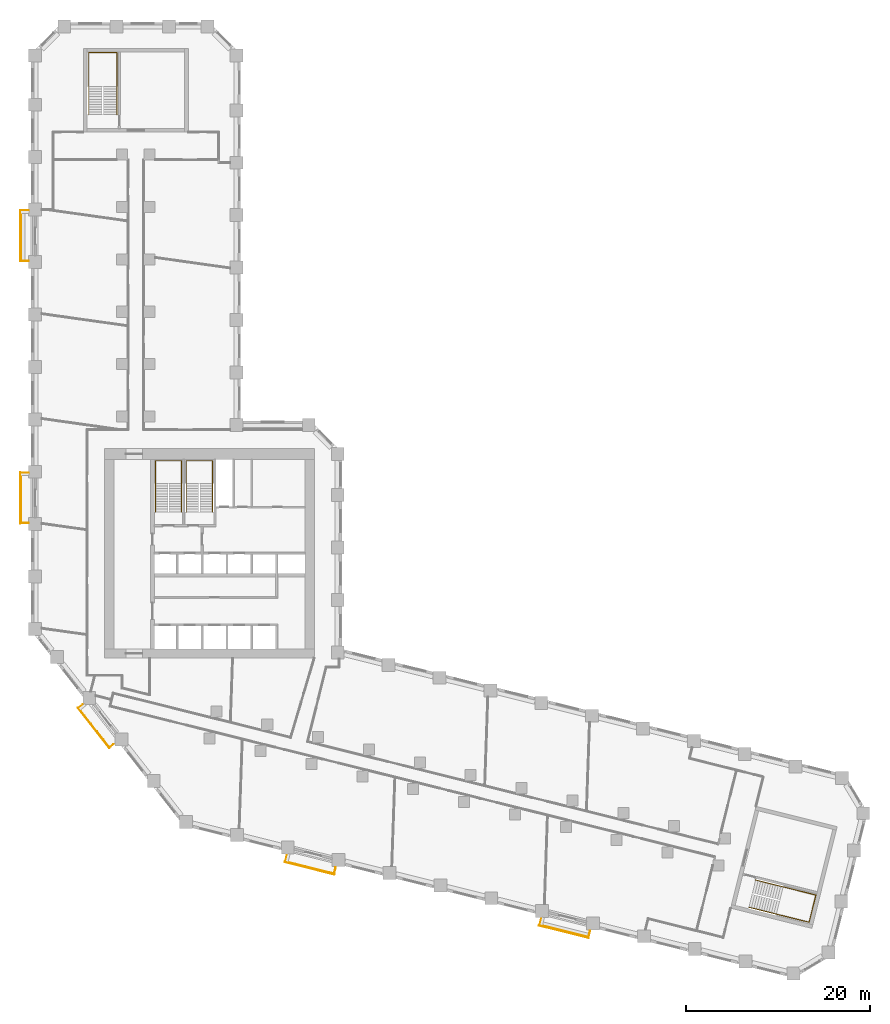
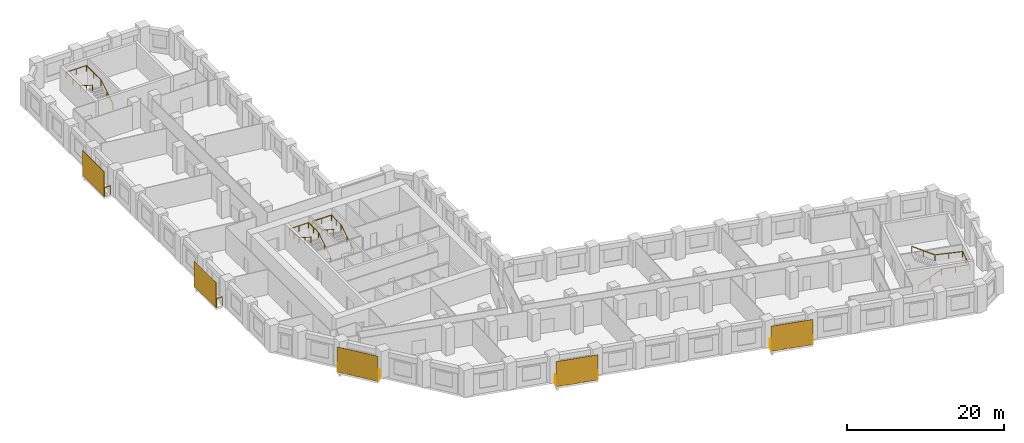
# One storey, part 11 of 11: 9 railings, 5 shading devices.
"""IFC4 building model written with IfcOpenShell, lengths in metres."""

from ifc_helpers import new_model, si_unit, direction, frame, origin, origin_2d, place, context, subcontext, project, spatial, rectangle, circle, extrude, material, layer, layer_set, type_object, element, save


model = new_model("IFC4")

# Units and contexts
model_context = context("Model", 3, precision=1e-05, world=origin(), true_north=direction((0.0, 1.0)))
body_context = subcontext(model_context, "Body", "Model", "MODEL_VIEW")
ifc_project = project(units=[si_unit("LENGTHUNIT", "METRE"), si_unit("AREAUNIT", "SQUARE_METRE"), si_unit("VOLUMEUNIT", "CUBIC_METRE"), si_unit("PLANEANGLEUNIT", "RADIAN"), si_unit("MASSUNIT", "GRAM", prefix="KILO")], contexts=[model_context])

# Site, building, storey
site_placement = place(None, origin())
site = spatial("IfcSite", under=ifc_project, at=site_placement, CompositionType="ELEMENT")
building_placement = place(site_placement, origin())
building = spatial("IfcBuilding", under=site, at=building_placement, Name="Meshkara Civic Tower", CompositionType="ELEMENT")
storey_placement = place(building_placement, frame((0.0, 0.0, 70.800048828125)))
storey = spatial("IfcBuildingStorey", under=building, at=storey_placement, Name="L15", CompositionType="ELEMENT", Elevation=70.800048828125)

# Railings
ifc_material_1 = material(Name="Steel S355", Category="steel")
railing_type_1 = type_object("IfcRailingType", Name="BALUSTRADE GUARD 1400", PredefinedType="BALUSTRADE", material=ifc_material_1)
for number, where, name in (
    (1, (-0.25, 62.735107421875, 0.0), "Balcony guard"),
    (2, (-0.25, 34.235107421875, 0.0), "Balcony guard"),
):
    element("IfcRailing", number, at=place(storey_placement, frame(where)), inside=storey, type_object=railing_type_1, Name=name, PredefinedType="BALUSTRADE", context=body_context, shape_type="SweptSolid", body=[
        extrude(circle(Radius=0.02392578125, at=origin_2d()), frame((0.0, 0.0, 1.3759765625), z_axis=(-1.0, 0.0, 0.0), x_axis=(0.0, -1.0, 0.0)), (0.0, 0.0, 1.0), 0.860107421875),
        extrude(circle(Radius=0.02392578125, at=origin_2d()), frame((-0.860107421875, 0.0, 1.3759765625), z_axis=(0.0, -1.0, 0.0), x_axis=(1.0, 0.0, 0.0)), (0.0, 0.0, 1.0), 5.460205078125),
        extrude(circle(Radius=0.02392578125, at=origin_2d()), frame((-0.860107421875, -5.460205078125, 1.3759765625), z_axis=(1.0, 0.0, 0.0), x_axis=(0.0, 1.0, 0.0)), (0.0, 0.0, 1.0), 0.860107421875),
        extrude(circle(Radius=0.02099609375, at=origin_2d()), origin(), (0.0, 0.0, 1.0), 1.351806640625),
        extrude(circle(Radius=0.02099609375, at=origin_2d()), frame((-0.860107421875, 0.0, 0.0)), (0.0, 0.0, 1.0), 1.351806640625),
        extrude(circle(Radius=0.02099609375, at=origin_2d()), frame((-0.860107421875, -1.092041015625, 0.0)), (0.0, 0.0, 1.0), 1.351806640625),
        extrude(circle(Radius=0.02099609375, at=origin_2d()), frame((-0.860107421875, -2.18408203125, 0.0)), (0.0, 0.0, 1.0), 1.351806640625),
        extrude(circle(Radius=0.02099609375, at=origin_2d()), frame((-0.860107421875, -3.276123046875, 0.0)), (0.0, 0.0, 1.0), 1.351806640625),
        extrude(circle(Radius=0.02099609375, at=origin_2d()), frame((-0.860107421875, -4.3681640625, 0.0)), (0.0, 0.0, 1.0), 1.351806640625),
        extrude(circle(Radius=0.02099609375, at=origin_2d()), frame((-0.860107421875, -5.460205078125, 0.0)), (0.0, 0.0, 1.0), 1.351806640625),
        extrude(circle(Radius=0.02099609375, at=origin_2d()), frame((0.0, -5.460205078125, 0.0)), (0.0, 0.0, 1.0), 1.351806640625),
    ])
railing_1_placement = place(storey_placement, frame((5.623046875, 9.0380859375, 0.0)))
element("IfcRailing", 3, at=railing_1_placement, inside=storey, type_object=railing_type_1, Name="Balcony guard", PredefinedType="BALUSTRADE", context=body_context, shape_type="SweptSolid", body=[
    extrude(circle(Radius=0.02392578125, at=origin_2d()), frame((0.0, 0.0, 1.3759765625), z_axis=(-0.787460425492, -0.616365215018, 0.0), x_axis=(0.616365215018, -0.787460425492, 0.0)), (0.0, 0.0, 1.0), 0.577880859375),
    extrude(circle(Radius=0.02392578125, at=origin_2d()), frame((-0.455078125, -0.356201171875, 1.3759765625), z_axis=(0.615684818606, -0.787992515281, 0.0), x_axis=(0.787992515281, 0.615684818606, 0.0)), (0.0, 0.0, 1.0), 5.460693359375),
    extrude(circle(Radius=0.02392578125, at=origin_2d()), frame((2.906982421875, -4.6591796875, 1.3759765625), z_axis=(0.787460425492, 0.616365215018, 0.0), x_axis=(-0.616365215018, 0.787460425492, 0.0)), (0.0, 0.0, 1.0), 0.577880859375),
    extrude(circle(Radius=0.02099609375, at=origin_2d()), origin(), (0.0, 0.0, 1.0), 1.351806640625),
    extrude(circle(Radius=0.02099609375, at=origin_2d()), frame((-0.455078125, -0.356201171875, 0.0)), (0.0, 0.0, 1.0), 1.351806640625),
    extrude(circle(Radius=0.02099609375, at=origin_2d()), frame((0.21728515625, -1.216796875, 0.0)), (0.0, 0.0, 1.0), 1.351806640625),
    extrude(circle(Radius=0.02099609375, at=origin_2d()), frame((0.8896484375, -2.077392578125, 0.0)), (0.0, 0.0, 1.0), 1.351806640625),
    extrude(circle(Radius=0.02099609375, at=origin_2d()), frame((1.562255859375, -2.93798828125, 0.0)), (0.0, 0.0, 1.0), 1.351806640625),
    extrude(circle(Radius=0.02099609375, at=origin_2d()), frame((2.234619140625, -3.798583984375, 0.0)), (0.0, 0.0, 1.0), 1.351806640625),
    extrude(circle(Radius=0.02099609375, at=origin_2d()), frame((2.906982421875, -4.6591796875, 0.0)), (0.0, 0.0, 1.0), 1.351806640625),
    extrude(circle(Radius=0.02099609375, at=origin_2d()), frame((3.362060546875, -4.302978515625, 0.0)), (0.0, 0.0, 1.0), 1.351806640625),
])
railing_2_placement = place(storey_placement, frame((27.822998046875, -7.347900390625, 0.0)))
element("IfcRailing", 4, at=railing_2_placement, inside=storey, type_object=railing_type_1, Name="Balcony guard", PredefinedType="BALUSTRADE", context=body_context, shape_type="SweptSolid", body=[
    extrude(circle(Radius=0.02392578125, at=origin_2d()), frame((0.0, 0.0, 1.3759765625), z_axis=(-0.241970279911, -0.970283661431, 0.0), x_axis=(0.970283661431, -0.241970279911, 0.0)), (0.0, 0.0, 1.0), 0.71142578125),
    extrude(circle(Radius=0.02392578125, at=origin_2d()), frame((-0.172119140625, -0.690185546875, 1.3759765625), z_axis=(0.970302726319, -0.241893818229, 0.0), x_axis=(0.241893818229, 0.970302726319, 0.0)), (0.0, 0.0, 1.0), 5.460205078125),
    extrude(circle(Radius=0.02392578125, at=origin_2d()), frame((5.1259765625, -2.010986328125, 1.3759765625), z_axis=(0.242050887106, 0.970263555974, 0.0), x_axis=(-0.970263555974, 0.242050887106, 0.0)), (0.0, 0.0, 1.0), 0.711181640625),
    extrude(circle(Radius=0.02099609375, at=origin_2d()), origin(), (0.0, 0.0, 1.0), 1.351806640625),
    extrude(circle(Radius=0.02099609375, at=origin_2d()), frame((-0.172119140625, -0.690185546875, 0.0)), (0.0, 0.0, 1.0), 1.351806640625),
    extrude(circle(Radius=0.02099609375, at=origin_2d()), frame((0.887451171875, -0.954345703125, 0.0)), (0.0, 0.0, 1.0), 1.351806640625),
    extrude(circle(Radius=0.02099609375, at=origin_2d()), frame((1.947021484375, -1.218505859375, 0.0)), (0.0, 0.0, 1.0), 1.351806640625),
    extrude(circle(Radius=0.02099609375, at=origin_2d()), frame((3.0068359375, -1.482666015625, 0.0)), (0.0, 0.0, 1.0), 1.351806640625),
    extrude(circle(Radius=0.02099609375, at=origin_2d()), frame((4.06640625, -1.746826171875, 0.0)), (0.0, 0.0, 1.0), 1.351806640625),
    extrude(circle(Radius=0.02099609375, at=origin_2d()), frame((5.1259765625, -2.010986328125, 0.0)), (0.0, 0.0, 1.0), 1.351806640625),
    extrude(circle(Radius=0.02099609375, at=origin_2d()), frame((5.298095703125, -1.321044921875, 0.0)), (0.0, 0.0, 1.0), 1.351806640625),
])
railing_3_placement = place(storey_placement, frame((55.47705078125, -14.242919921875, 0.0)))
element("IfcRailing", 5, at=railing_3_placement, inside=storey, type_object=railing_type_1, Name="Balcony guard", PredefinedType="BALUSTRADE", context=body_context, shape_type="SweptSolid", body=[
    extrude(circle(Radius=0.02392578125, at=origin_2d()), frame((0.0, 0.0, 1.3759765625), z_axis=(-0.241970279911, -0.970283661431, 0.0), x_axis=(0.970283661431, -0.241970279911, 0.0)), (0.0, 0.0, 1.0), 0.71142578125),
    extrude(circle(Radius=0.02392578125, at=origin_2d()), frame((-0.172119140625, -0.690185546875, 1.3759765625), z_axis=(0.970302726319, -0.241893818229, 0.0), x_axis=(0.241893818229, 0.970302726319, 0.0)), (0.0, 0.0, 1.0), 5.460205078125),
    extrude(circle(Radius=0.02392578125, at=origin_2d()), frame((5.1259765625, -2.010986328125, 1.3759765625), z_axis=(0.24172762774, 0.970344142038, 0.0), x_axis=(-0.970344142038, 0.24172762774, 0.0)), (0.0, 0.0, 1.0), 0.7109375),
    extrude(circle(Radius=0.02099609375, at=origin_2d()), origin(), (0.0, 0.0, 1.0), 1.351806640625),
    extrude(circle(Radius=0.02099609375, at=origin_2d()), frame((-0.172119140625, -0.690185546875, 0.0)), (0.0, 0.0, 1.0), 1.351806640625),
    extrude(circle(Radius=0.02099609375, at=origin_2d()), frame((0.887451171875, -0.954345703125, 0.0)), (0.0, 0.0, 1.0), 1.351806640625),
    extrude(circle(Radius=0.02099609375, at=origin_2d()), frame((1.947021484375, -1.218505859375, 0.0)), (0.0, 0.0, 1.0), 1.351806640625),
    extrude(circle(Radius=0.02099609375, at=origin_2d()), frame((3.0068359375, -1.482666015625, 0.0)), (0.0, 0.0, 1.0), 1.351806640625),
    extrude(circle(Radius=0.02099609375, at=origin_2d()), frame((4.06640625, -1.746826171875, 0.0)), (0.0, 0.0, 1.0), 1.351806640625),
    extrude(circle(Radius=0.02099609375, at=origin_2d()), frame((5.1259765625, -2.010986328125, 0.0)), (0.0, 0.0, 1.0), 1.351806640625),
    extrude(circle(Radius=0.02099609375, at=origin_2d()), frame((5.2978515625, -1.321044921875, 0.0)), (0.0, 0.0, 1.0), 1.351806640625),
])

# Shading devices
ifc_material_2 = material(Name="Perforated bronze anodised aluminium sheet", Category="aluminium")
ifc_layer = layer(ifc_material_2, 0.0400390625)
ifc_layer_set = layer_set([ifc_layer], Name="PERFORATED BRONZE SCREEN")
shading_device_type = type_object("IfcShadingDeviceType", Name="PERFORATED BRONZE SCREEN", PredefinedType="USERDEFINED", material=ifc_layer_set)
for number, where, z_axis, x_axis, name in (
    (6, (-1.179931640625, 60.0048828125, 0.0), (0.0, 0.0, 1.0), (0.0, -1.0, 0.0), "Balcony screen"),
    (7, (-1.179931640625, 31.5048828125, 0.0), (0.0, 0.0, 1.0), (0.0, -1.0, 0.0), "Balcony screen"),
):
    element("IfcShadingDevice", number, at=place(storey_placement, frame(where, z_axis=z_axis, x_axis=x_axis)), inside=storey, type_object=shading_device_type, Name=name, ObjectType="SCREEN", PredefinedType="USERDEFINED", context=body_context, shape_type="SweptSolid", body=[
        extrude(rectangle(XDim=5.580078125, YDim=0.0400390625, at=origin_2d()), origin(), (0.0, 0.0, 1.0), 3.89990234375),
    ])
shading_device_placement = place(storey_placement, frame((6.7939453125, 6.488037109375, 0.0), z_axis=(0.0, 0.0, 1.0), x_axis=(0.615661475326, -0.788010753607, 0.0)))
element("IfcShadingDevice", 8, at=shading_device_placement, inside=storey, type_object=shading_device_type, Name="Balcony screen", ObjectType="SCREEN", PredefinedType="USERDEFINED", context=body_context, shape_type="SweptSolid", body=[
    extrude(rectangle(XDim=5.5810546875, YDim=0.0400390625, at=origin_2d()), origin(), (0.0, 0.0, 1.0), 3.89990234375),
])
for number, where, z_axis, x_axis, name in (
    (9, (30.282958984375, -8.76708984375, 0.0), (0.0, 0.0, 1.0), (0.970295726276, -0.2419218956, 0.0), "Balcony screen"),
    (10, (57.93701171875, -15.660888671875, 0.0), (0.0, 0.0, 1.0), (0.970295726276, -0.2419218956, 0.0), "Balcony screen"),
):
    element("IfcShadingDevice", number, at=place(storey_placement, frame(where, z_axis=z_axis, x_axis=x_axis)), inside=storey, type_object=shading_device_type, Name=name, ObjectType="SCREEN", PredefinedType="USERDEFINED", context=body_context, shape_type="SweptSolid", body=[
        extrude(rectangle(XDim=5.580078125, YDim=0.0400390625, at=origin_2d()), origin(), (0.0, 0.0, 1.0), 3.89990234375),
    ])

# Railings
ifc_material_3 = material(Name="Steel handrail", Category="steel")
railing_type_2 = type_object("IfcRailingType", Name="Stair handrail 900", PredefinedType="HANDRAIL", material=ifc_material_3)
railing_4_placement = place(storey_placement, frame((16.375, 30.0, 0.175048828125)))
element("IfcRailing", 11, at=railing_4_placement, inside=storey, type_object=railing_type_2, Name="L15 ST1 stair handrail 1", PredefinedType="HANDRAIL", context=body_context, shape_type="SweptSolid", body=[
    extrude(circle(Radius=0.02392578125, at=origin_2d()), frame((0.0, 0.0, 0.8759765625), z_axis=(0.0, 0.848028513186, 0.529950602248), x_axis=(-1.0, 0.0, 0.0)), (0.0, 0.0, 1.0), 3.632080078125),
    extrude(circle(Radius=0.02392578125, at=origin_2d()), frame((0.0, 3.080078125, 2.80078125), z_axis=(0.0, 1.0, 0.0), x_axis=(-1.0, 0.0, 0.0)), (0.0, 0.0, 1.0), 2.469970703125),
    extrude(circle(Radius=0.02392578125, at=origin_2d()), frame((0.0, 5.550048828125, 2.80078125), z_axis=(-1.0, 0.0, 0.0), x_axis=(0.0, -1.0, 0.0)), (0.0, 0.0, 1.0), 2.85009765625),
    extrude(circle(Radius=0.02392578125, at=origin_2d()), frame((-2.85009765625, 5.550048828125, 2.80078125), z_axis=(0.0, -0.997498084828, 0.070693498747), x_axis=(1.0, 0.0, 0.0)), (0.0, 0.0, 1.0), 2.47607421875),
    extrude(circle(Radius=0.02392578125, at=origin_2d()), frame((-2.85009765625, 3.080078125, 2.9755859375), z_axis=(0.0, -0.847998304005, 0.529998940003), x_axis=(1.0, 0.0, 0.0)), (0.0, 0.0, 1.0), 3.632080078125),
    extrude(circle(Radius=0.02099609375, at=origin_2d()), origin(), (0.0, 0.0, 1.0), 0.851806640625),
    extrude(circle(Radius=0.02099609375, at=origin_2d()), frame((0.0, 1.5400390625, 0.96240234375)), (0.0, 0.0, 1.0), 0.851806640625),
    extrude(circle(Radius=0.02099609375, at=origin_2d()), frame((0.0, 3.080078125, 1.9248046875)), (0.0, 0.0, 1.0), 0.851806640625),
    extrude(circle(Radius=0.02099609375, at=origin_2d()), frame((0.0, 4.31494140625, 1.9248046875)), (0.0, 0.0, 1.0), 0.851806640625),
    extrude(circle(Radius=0.02099609375, at=origin_2d()), frame((0.0, 5.550048828125, 1.9248046875)), (0.0, 0.0, 1.0), 0.851806640625),
    extrude(circle(Radius=0.02099609375, at=origin_2d()), frame((-1.425048828125, 5.550048828125, 1.9248046875)), (0.0, 0.0, 1.0), 0.851806640625),
    extrude(circle(Radius=0.02099609375, at=origin_2d()), frame((-2.85009765625, 5.550048828125, 1.9248046875)), (0.0, 0.0, 1.0), 0.851806640625),
    extrude(circle(Radius=0.02099609375, at=origin_2d()), frame((-2.85009765625, 4.31494140625, 2.01220703125)), (0.0, 0.0, 1.0), 0.851806640625),
    extrude(circle(Radius=0.02099609375, at=origin_2d()), frame((-2.85009765625, 3.080078125, 2.099853515625)), (0.0, 0.0, 1.0), 0.851806640625),
    extrude(circle(Radius=0.02099609375, at=origin_2d()), frame((-2.85009765625, 1.5400390625, 3.0625)), (0.0, 0.0, 1.0), 0.851806640625),
    extrude(circle(Radius=0.02099609375, at=origin_2d()), frame((-2.85009765625, 0.0, 4.02490234375)), (0.0, 0.0, 1.0), 0.851806640625),
])
railing_5_placement = place(storey_placement, frame((19.72509765625, 30.0, 0.175048828125)))
element("IfcRailing", 12, at=railing_5_placement, inside=storey, type_object=railing_type_2, Name="L15 ST2 stair handrail 1", PredefinedType="HANDRAIL", context=body_context, shape_type="SweptSolid", body=[
    extrude(circle(Radius=0.02392578125, at=origin_2d()), frame((0.0, 0.0, 0.8759765625), z_axis=(0.0, 0.848028513186, 0.529950602248), x_axis=(-1.0, 0.0, 0.0)), (0.0, 0.0, 1.0), 3.632080078125),
    extrude(circle(Radius=0.02392578125, at=origin_2d()), frame((0.0, 3.080078125, 2.80078125), z_axis=(0.0, 1.0, 0.0), x_axis=(-1.0, 0.0, 0.0)), (0.0, 0.0, 1.0), 2.469970703125),
    extrude(circle(Radius=0.02392578125, at=origin_2d()), frame((0.0, 5.550048828125, 2.80078125), z_axis=(-1.0, 0.0, 0.0), x_axis=(0.0, -1.0, 0.0)), (0.0, 0.0, 1.0), 2.85009765625),
    extrude(circle(Radius=0.02392578125, at=origin_2d()), frame((-2.85009765625, 5.550048828125, 2.80078125), z_axis=(0.0, -0.997498084828, 0.070693498747), x_axis=(1.0, 0.0, 0.0)), (0.0, 0.0, 1.0), 2.47607421875),
    extrude(circle(Radius=0.02392578125, at=origin_2d()), frame((-2.85009765625, 3.080078125, 2.9755859375), z_axis=(0.0, -0.847998304005, 0.529998940003), x_axis=(1.0, 0.0, 0.0)), (0.0, 0.0, 1.0), 3.632080078125),
    extrude(circle(Radius=0.02099609375, at=origin_2d()), origin(), (0.0, 0.0, 1.0), 0.851806640625),
    extrude(circle(Radius=0.02099609375, at=origin_2d()), frame((0.0, 1.5400390625, 0.96240234375)), (0.0, 0.0, 1.0), 0.851806640625),
    extrude(circle(Radius=0.02099609375, at=origin_2d()), frame((0.0, 3.080078125, 1.9248046875)), (0.0, 0.0, 1.0), 0.851806640625),
    extrude(circle(Radius=0.02099609375, at=origin_2d()), frame((0.0, 4.31494140625, 1.9248046875)), (0.0, 0.0, 1.0), 0.851806640625),
    extrude(circle(Radius=0.02099609375, at=origin_2d()), frame((0.0, 5.550048828125, 1.9248046875)), (0.0, 0.0, 1.0), 0.851806640625),
    extrude(circle(Radius=0.02099609375, at=origin_2d()), frame((-1.425048828125, 5.550048828125, 1.9248046875)), (0.0, 0.0, 1.0), 0.851806640625),
    extrude(circle(Radius=0.02099609375, at=origin_2d()), frame((-2.85009765625, 5.550048828125, 1.9248046875)), (0.0, 0.0, 1.0), 0.851806640625),
    extrude(circle(Radius=0.02099609375, at=origin_2d()), frame((-2.85009765625, 4.31494140625, 2.01220703125)), (0.0, 0.0, 1.0), 0.851806640625),
    extrude(circle(Radius=0.02099609375, at=origin_2d()), frame((-2.85009765625, 3.080078125, 2.099853515625)), (0.0, 0.0, 1.0), 0.851806640625),
    extrude(circle(Radius=0.02099609375, at=origin_2d()), frame((-2.85009765625, 1.5400390625, 3.0625)), (0.0, 0.0, 1.0), 0.851806640625),
    extrude(circle(Radius=0.02099609375, at=origin_2d()), frame((-2.85009765625, 0.0, 4.02490234375)), (0.0, 0.0, 1.0), 0.851806640625),
])
railing_6_placement = place(storey_placement, frame((9.324951171875, 73.169921875, 0.175048828125)))
element("IfcRailing", 13, at=railing_6_placement, inside=storey, type_object=railing_type_2, Name="L15 ESA1 stair handrail 1", PredefinedType="HANDRAIL", context=body_context, shape_type="SweptSolid", body=[
    extrude(circle(Radius=0.02392578125, at=origin_2d()), frame((0.0, 0.0, 0.8759765625), z_axis=(0.0, 0.848028513186, 0.529950602248), x_axis=(-1.0, 0.0, 0.0)), (0.0, 0.0, 1.0), 3.632080078125),
    extrude(circle(Radius=0.02392578125, at=origin_2d()), frame((0.0, 3.080078125, 2.80078125), z_axis=(0.0, 1.0, 0.0), x_axis=(-1.0, 0.0, 0.0)), (0.0, 0.0, 1.0), 3.669921875),
    extrude(circle(Radius=0.02392578125, at=origin_2d()), frame((0.0, 6.75, 2.80078125), z_axis=(-1.0, 0.0, 0.0), x_axis=(0.0, -1.0, 0.0)), (0.0, 0.0, 1.0), 3.050048828125),
    extrude(circle(Radius=0.02392578125, at=origin_2d()), frame((-3.050048828125, 6.75, 2.80078125), z_axis=(0.0, -0.998864376167, 0.047644076484), x_axis=(1.0, 0.0, 0.0)), (0.0, 0.0, 1.0), 3.674072265625),
    extrude(circle(Radius=0.02392578125, at=origin_2d()), frame((-3.050048828125, 3.080078125, 2.9755859375), z_axis=(0.0, -0.847998304005, 0.529998940003), x_axis=(1.0, 0.0, 0.0)), (0.0, 0.0, 1.0), 3.632080078125),
    extrude(circle(Radius=0.02099609375, at=origin_2d()), origin(), (0.0, 0.0, 1.0), 0.851806640625),
    extrude(circle(Radius=0.02099609375, at=origin_2d()), frame((0.0, 1.5400390625, 0.96240234375)), (0.0, 0.0, 1.0), 0.851806640625),
    extrude(circle(Radius=0.02099609375, at=origin_2d()), frame((0.0, 3.080078125, 1.9248046875)), (0.0, 0.0, 1.0), 0.851806640625),
    extrude(circle(Radius=0.02099609375, at=origin_2d()), frame((0.0, 4.9150390625, 1.9248046875)), (0.0, 0.0, 1.0), 0.851806640625),
    extrude(circle(Radius=0.02099609375, at=origin_2d()), frame((0.0, 6.75, 1.9248046875)), (0.0, 0.0, 1.0), 0.851806640625),
    extrude(circle(Radius=0.02099609375, at=origin_2d()), frame((-1.52490234375, 6.75, 1.9248046875)), (0.0, 0.0, 1.0), 0.851806640625),
    extrude(circle(Radius=0.02099609375, at=origin_2d()), frame((-3.050048828125, 6.75, 1.9248046875)), (0.0, 0.0, 1.0), 0.851806640625),
    extrude(circle(Radius=0.02099609375, at=origin_2d()), frame((-3.050048828125, 4.9150390625, 2.01220703125)), (0.0, 0.0, 1.0), 0.851806640625),
    extrude(circle(Radius=0.02099609375, at=origin_2d()), frame((-3.050048828125, 3.080078125, 2.099853515625)), (0.0, 0.0, 1.0), 0.851806640625),
    extrude(circle(Radius=0.02099609375, at=origin_2d()), frame((-3.050048828125, 1.5400390625, 3.0625)), (0.0, 0.0, 1.0), 0.851806640625),
    extrude(circle(Radius=0.02099609375, at=origin_2d()), frame((-3.050048828125, 0.0, 4.02490234375)), (0.0, 0.0, 1.0), 0.851806640625),
])
railing_7_placement = place(storey_placement, frame((78.045166015625, -12.99169921875, 0.175048828125)))
element("IfcRailing", 14, at=railing_7_placement, inside=storey, type_object=railing_type_2, Name="L15 ESB1 stair handrail 1", PredefinedType="HANDRAIL", context=body_context, shape_type="SweptSolid", body=[
    extrude(circle(Radius=0.02392578125, at=origin_2d()), frame((0.0, 0.0, 0.8759765625), z_axis=(0.822811278243, -0.205282709236, 0.529943968439), x_axis=(0.242069343812, 0.970258951408, 0.0)), (0.0, 0.0, 1.0), 3.632080078125),
    extrude(circle(Radius=0.02392578125, at=origin_2d()), frame((2.988525390625, -0.74560546875, 2.80078125), z_axis=(0.970255876456, -0.242081668456, 0.0), x_axis=(0.242081668456, 0.970255876456, 0.0)), (0.0, 0.0, 1.0), 3.669921875),
    extrude(circle(Radius=0.02392578125, at=origin_2d()), frame((6.54931640625, -1.634033203125, 2.80078125), z_axis=(0.242064726708, 0.970260103315, 0.0), x_axis=(-0.970260103315, 0.242064726708, 0.0)), (0.0, 0.0, 1.0), 3.050048828125),
    extrude(circle(Radius=0.02392578125, at=origin_2d()), frame((7.28759765625, 1.3251953125, 2.80078125), z_axis=(-0.969154047904, 0.241806759021, 0.047643706023), x_axis=(-0.242081668456, -0.970255876456, 0.0)), (0.0, 0.0, 1.0), 3.674072265625),
    extrude(circle(Radius=0.02392578125, at=origin_2d()), frame((3.726806640625, 2.213623046875, 2.9755859375), z_axis=(-0.822781968105, 0.205275396666, 0.529992306062), x_axis=(-0.242069343812, -0.970258951408, 0.0)), (0.0, 0.0, 1.0), 3.63232421875),
    extrude(circle(Radius=0.02099609375, at=origin_2d()), origin(), (0.0, 0.0, 1.0), 0.851806640625),
    extrude(circle(Radius=0.02099609375, at=origin_2d()), frame((1.494140625, -0.372802734375, 0.96240234375)), (0.0, 0.0, 1.0), 0.851806640625),
    extrude(circle(Radius=0.02099609375, at=origin_2d()), frame((2.988525390625, -0.74560546875, 1.9248046875)), (0.0, 0.0, 1.0), 0.851806640625),
    extrude(circle(Radius=0.02099609375, at=origin_2d()), frame((4.76904296875, -1.18994140625, 1.9248046875)), (0.0, 0.0, 1.0), 0.851806640625),
    extrude(circle(Radius=0.02099609375, at=origin_2d()), frame((6.54931640625, -1.634033203125, 1.9248046875)), (0.0, 0.0, 1.0), 0.851806640625),
    extrude(circle(Radius=0.02099609375, at=origin_2d()), frame((6.91845703125, -0.154296875, 1.9248046875)), (0.0, 0.0, 1.0), 0.851806640625),
    extrude(circle(Radius=0.02099609375, at=origin_2d()), frame((7.28759765625, 1.3251953125, 1.9248046875)), (0.0, 0.0, 1.0), 0.851806640625),
    extrude(circle(Radius=0.02099609375, at=origin_2d()), frame((5.50732421875, 1.76953125, 2.01220703125)), (0.0, 0.0, 1.0), 0.851806640625),
    extrude(circle(Radius=0.02099609375, at=origin_2d()), frame((3.726806640625, 2.213623046875, 2.099853515625)), (0.0, 0.0, 1.0), 0.851806640625),
    extrude(circle(Radius=0.02099609375, at=origin_2d()), frame((2.232421875, 2.58642578125, 3.0625)), (0.0, 0.0, 1.0), 0.851806640625),
    extrude(circle(Radius=0.02099609375, at=origin_2d()), frame((0.73828125, 2.959228515625, 4.02490234375)), (0.0, 0.0, 1.0), 0.851806640625),
])

save(model, "model.ifc")
